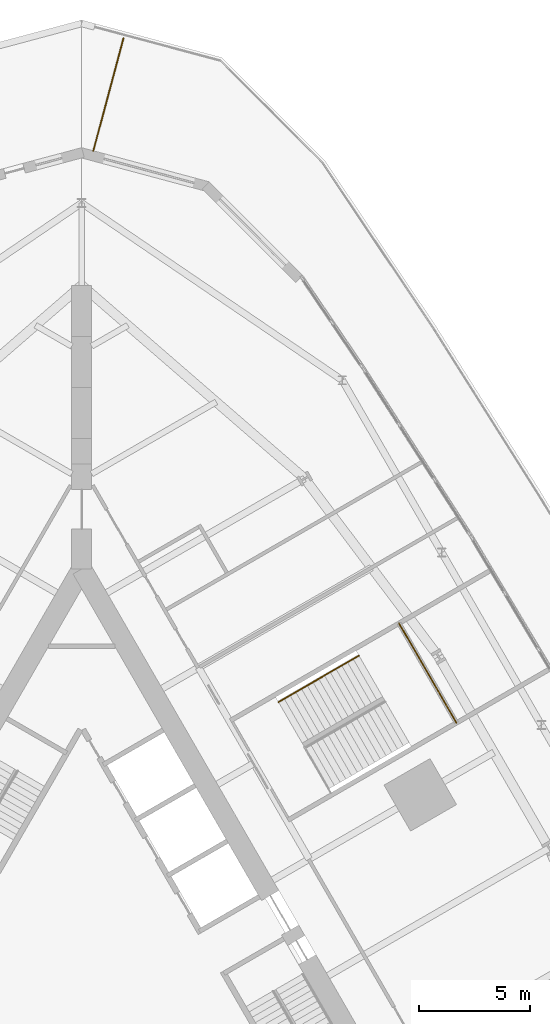
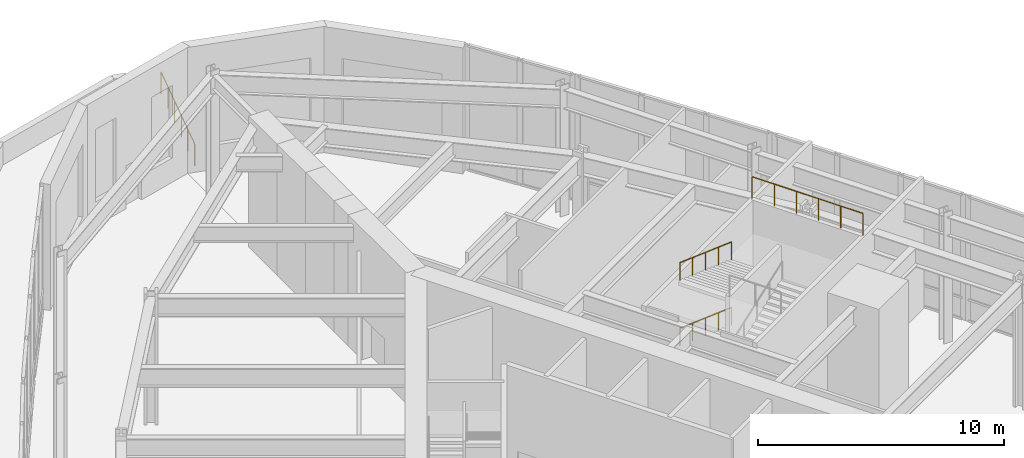
# One storey, part 19 of 19: 4 railings.
"""IFC4 building model written with IfcOpenShell, lengths in metres."""

from ifc_helpers import new_model, si_unit, direction, frame, origin, origin_2d, place, context, subcontext, project, spatial, circle, extrude, material, type_object, element, save


model = new_model("IFC4")

# Units and contexts
model_context = context("Model", 3, precision=1e-05, world=origin(), true_north=direction((0.0, 1.0)))
body_context = subcontext(model_context, "Body", "Model", "MODEL_VIEW")
ifc_project = project(units=[si_unit("LENGTHUNIT", "METRE"), si_unit("AREAUNIT", "SQUARE_METRE"), si_unit("VOLUMEUNIT", "CUBIC_METRE"), si_unit("PLANEANGLEUNIT", "RADIAN"), si_unit("MASSUNIT", "GRAM", prefix="KILO")], contexts=[model_context])

# Site, building, storey
site_placement = place(None, origin())
site = spatial("IfcSite", under=ifc_project, at=site_placement, CompositionType="ELEMENT")
building_placement = place(site_placement, origin())
building = spatial("IfcBuilding", under=site, at=building_placement, Name="Trikona Tower", CompositionType="ELEMENT")
storey_placement = place(building_placement, frame((0.0, 0.0, 11.0)))
storey = spatial("IfcBuildingStorey", under=building, at=storey_placement, Name="L02", CompositionType="ELEMENT", Elevation=11.0)

# Railings
ifc_material_1 = material(Name="Galvanised steel fence with welded mesh infill", Category="steel")
railing_type_1 = type_object("IfcRailingType", Name="Green roof fence 1100", PredefinedType="GUARDRAIL", material=ifc_material_1)
railing_1_placement = place(storey_placement, frame((1.89306640625, 43.060791015625, 0.0)))
element("IfcRailing", 1, at=railing_1_placement, inside=storey, type_object=railing_type_1, Name="Green roof fence L02-1b", PredefinedType="GUARDRAIL", context=body_context, shape_type="SweptSolid", body=[
    extrude(circle(Radius=0.02392578125, at=origin_2d()), frame((0.0, 0.0, 1.076171875), z_axis=(-0.25882011177, -0.965925540476, 0.0), x_axis=(0.965925540476, -0.25882011177, 0.0)), (0.0, 0.0, 1.0), 5.276611328125),
    extrude(circle(Radius=0.02099609375, at=origin_2d()), origin(), (0.0, 0.0, 1.0), 1.052001953125),
    extrude(circle(Radius=0.02099609375, at=origin_2d()), frame((-0.273193359375, -1.019287109375, 0.0)), (0.0, 0.0, 1.0), 1.052001953125),
    extrude(circle(Radius=0.02099609375, at=origin_2d()), frame((-0.54638671875, -2.038818359375, 0.0)), (0.0, 0.0, 1.0), 1.052001953125),
    extrude(circle(Radius=0.02099609375, at=origin_2d()), frame((-0.8193359375, -3.05810546875, 0.0)), (0.0, 0.0, 1.0), 1.052001953125),
    extrude(circle(Radius=0.02099609375, at=origin_2d()), frame((-1.092529296875, -4.07763671875, 0.0)), (0.0, 0.0, 1.0), 1.052001953125),
    extrude(circle(Radius=0.02099609375, at=origin_2d()), frame((-1.36572265625, -5.096923828125, 0.0)), (0.0, 0.0, 1.0), 1.052001953125),
])
ifc_material_2 = material(Name="Stainless steel handrail", Category="steel")
railing_type_2 = type_object("IfcRailingType", Name="Stair handrail", PredefinedType="HANDRAIL", material=ifc_material_2)
for number, where, name in (
    (2, (12.53759765625, 15.13671875, 1.7333984375), "Stair handrail PS2 L02 2"),
    (3, (12.53759765625, 15.13671875, 4.9833984375), "Stair handrail PS2 L02 4"),
):
    element("IfcRailing", number, at=place(storey_placement, frame(where)), inside=storey, type_object=railing_type_2, Name=name, PredefinedType="HANDRAIL", context=body_context, shape_type="SweptSolid", body=[
        extrude(circle(Radius=0.02392578125, at=origin_2d()), frame((0.0, 0.0, 0.8759765625), z_axis=(-0.814552659617, -0.470262278518, 0.339642980369), x_axis=(0.49998411664, -0.866034573852, 0.0)), (0.0, 0.0, 1.0), 4.46533203125),
        extrude(circle(Radius=0.02099609375, at=origin_2d()), origin(), (0.0, 0.0, 1.0), 0.851806640625),
        extrude(circle(Radius=0.02099609375, at=origin_2d()), frame((-0.9091796875, -0.52490234375, 0.379150390625)), (0.0, 0.0, 1.0), 0.851806640625),
        extrude(circle(Radius=0.02099609375, at=origin_2d()), frame((-1.818603515625, -1.0498046875, 0.75830078125)), (0.0, 0.0, 1.0), 0.851806640625),
        extrude(circle(Radius=0.02099609375, at=origin_2d()), frame((-2.72802734375, -1.574951171875, 1.137451171875)), (0.0, 0.0, 1.0), 0.851806640625),
        extrude(circle(Radius=0.02099609375, at=origin_2d()), frame((-3.63720703125, -2.099853515625, 1.5166015625)), (0.0, 0.0, 1.0), 0.851806640625),
    ])
ifc_material_3 = material(Name="Stainless steel guard with glass infill", Category="steel")
railing_type_3 = type_object("IfcRailingType", Name="Stair well guard 1100", PredefinedType="GUARDRAIL", material=ifc_material_3)
railing_2_placement = place(storey_placement, frame((16.949462890625, 12.09521484375, 6.5)))
element("IfcRailing", 4, at=railing_2_placement, inside=storey, type_object=railing_type_3, Name="Stair well guard PS2 L02 far end", PredefinedType="GUARDRAIL", context=body_context, shape_type="SweptSolid", body=[
    extrude(circle(Radius=0.02392578125, at=origin_2d()), frame((0.0, 0.0, 1.076171875), z_axis=(-0.499992051641, 0.866029992723, 0.0), x_axis=(-0.866029992723, -0.499992051641, 0.0)), (0.0, 0.0, 1.0), 5.19970703125),
    extrude(circle(Radius=0.02099609375, at=origin_2d()), origin(), (0.0, 0.0, 1.0), 1.052001953125),
    extrude(circle(Radius=0.02099609375, at=origin_2d()), frame((-0.52001953125, 0.900634765625, 0.0)), (0.0, 0.0, 1.0), 1.052001953125),
    extrude(circle(Radius=0.02099609375, at=origin_2d()), frame((-1.0400390625, 1.80126953125, 0.0)), (0.0, 0.0, 1.0), 1.052001953125),
    extrude(circle(Radius=0.02099609375, at=origin_2d()), frame((-1.559814453125, 2.701904296875, 0.0)), (0.0, 0.0, 1.0), 1.052001953125),
    extrude(circle(Radius=0.02099609375, at=origin_2d()), frame((-2.079833984375, 3.6025390625, 0.0)), (0.0, 0.0, 1.0), 1.052001953125),
    extrude(circle(Radius=0.02099609375, at=origin_2d()), frame((-2.599853515625, 4.503173828125, 0.0)), (0.0, 0.0, 1.0), 1.052001953125),
])

save(model, "model.ifc")
